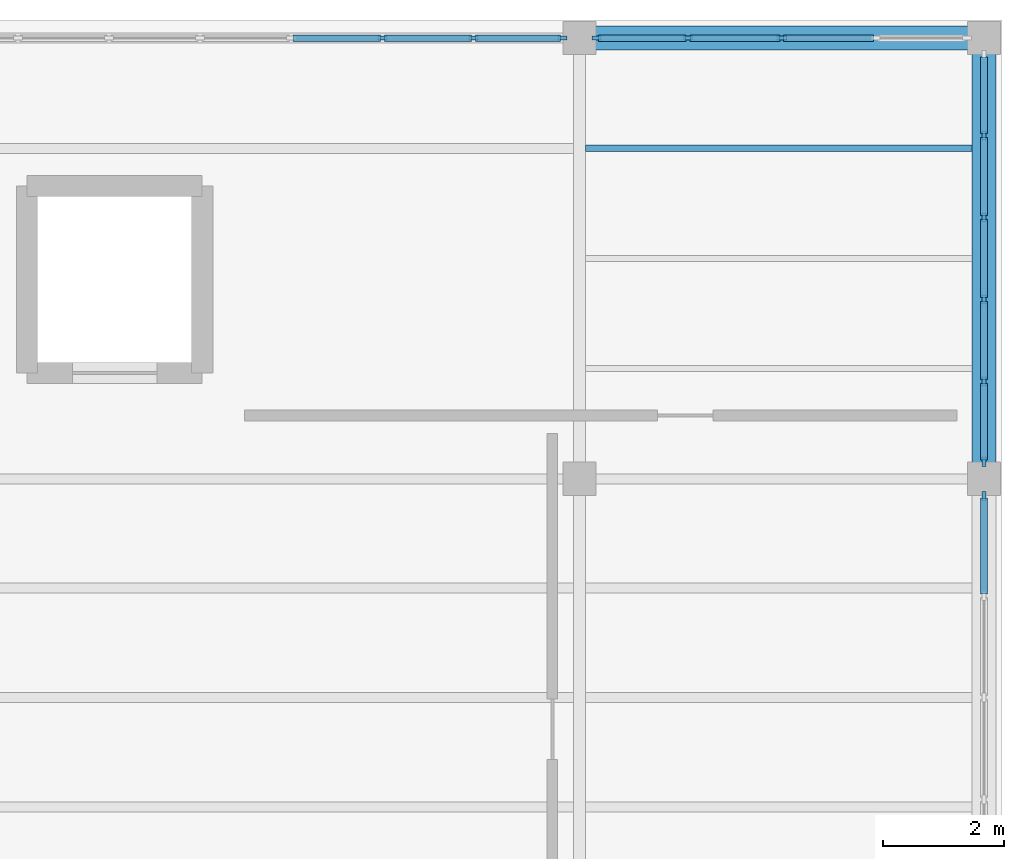
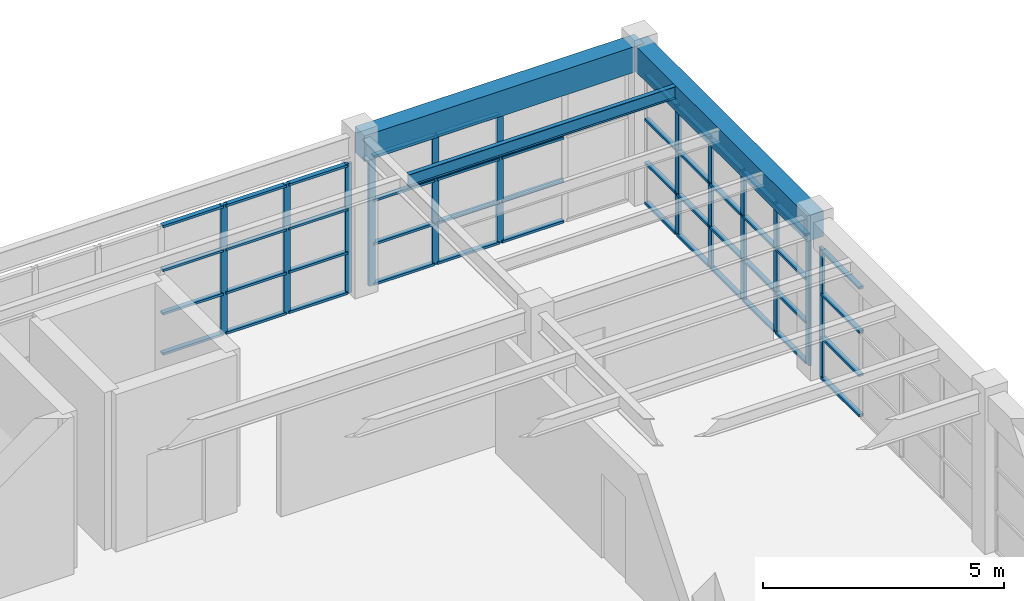
# One storey, part 35 of 66: 59 members, 3 beams, 4 elements without a shape of their own.
"""IFC4 building model written with IfcOpenShell, lengths in metres."""

from ifc_helpers import new_model, si_unit, direction, frame, origin, origin_2d, place, context, subcontext, project, spatial, rectangle, i_section, extrude, material, layer, layer_set, material_profile, profile_set, type_object, element, aggregate, save


model = new_model("IFC4")

# Units and contexts
model_context = context("Model", 3, precision=1e-05, world=origin(), true_north=direction((0.0, 1.0)))
body_context = subcontext(model_context, "Body", "Model", "MODEL_VIEW")
ifc_project = project(units=[si_unit("LENGTHUNIT", "METRE"), si_unit("AREAUNIT", "SQUARE_METRE"), si_unit("VOLUMEUNIT", "CUBIC_METRE"), si_unit("PLANEANGLEUNIT", "RADIAN"), si_unit("MASSUNIT", "GRAM", prefix="KILO")], contexts=[model_context])

# Site, building, storey
site_placement = place(None, origin())
site = spatial("IfcSite", under=ifc_project, at=site_placement, CompositionType="ELEMENT")
building_placement = place(site_placement, origin())
building = spatial("IfcBuilding", under=site, at=building_placement, Name="Candilejo Ridge Gondola Terminal", CompositionType="ELEMENT")
storey_placement = place(building_placement, frame((0.0, 0.0, 14.39990234375)))
storey = spatial("IfcBuildingStorey", under=building, at=storey_placement, Name="L03", CompositionType="ELEMENT", Elevation=14.39990234375)

# Curtain wall, member
ifc_material_1 = material(Name="Anodised aluminium AA 6063-T6", Category="aluminium")
ifc_layer_1 = layer(ifc_material_1, 0.169921875)
ifc_layer_set_1 = layer_set([ifc_layer_1], Name="ARC-CW-TOWER-3000-675X329")
curtain_wall_type_1 = type_object("IfcCurtainWallType", Name="ARC-CW-TOWER-3000-675X329", PredefinedType="NOTDEFINED", material=ifc_layer_set_1)
curtain_wall_1_placement = place(storey_placement, origin())
curtain_wall_1 = element("IfcCurtainWall", 1, at=curtain_wall_1_placement, inside=storey, type_object=curtain_wall_type_1, Name="Curtain wall V5 L03-205", PredefinedType="NOTDEFINED")
ifc_material_2 = material(Name="Anodised aluminium AA 6063-T6", Category="aluminium")
ifc_material_profile_1 = material_profile(ifc_material_2, rectangle(XDim=0.06494140625, YDim=0.14990234375, at=origin_2d()))
ifc_profile_set_1 = profile_set([ifc_material_profile_1], Name="Anodised aluminium AA 6063-T6")
member_type_1 = type_object("IfcMemberType", Name="ARC-CW-MULLION-150", PredefinedType="MULLION", material=ifc_profile_set_1)
member_1_placement = place(storey_placement, frame((175.300048828125, 113.267578125, 0.0), z_axis=(0.0, 0.0, 1.0), x_axis=(-1.0, 0.0, 0.0)))
member_1 = element("IfcMember", 2, at=member_1_placement, type_object=member_type_1, Name="CW-67X32 mullion 5", PredefinedType="MULLION", context=body_context, shape_type="SweptSolid", body=[
    extrude(rectangle(XDim=0.06494140625, YDim=0.14990234375, at=origin_2d()), origin(), (0.0, 0.0, 1.0), 3.2900390625),
])

# Curtain wall, members
ifc_material_3 = material(Name="Anodised aluminium AA 6063-T6", Category="aluminium")
ifc_layer_2 = layer(ifc_material_3, 0.169921875)
ifc_layer_set_2 = layer_set([ifc_layer_2], Name="ARC-CW-TOWER-3000-680X329")
curtain_wall_type_2 = type_object("IfcCurtainWallType", Name="ARC-CW-TOWER-3000-680X329", PredefinedType="NOTDEFINED", material=ifc_layer_set_2)
curtain_wall_2_placement = place(storey_placement, origin())
curtain_wall_2 = element("IfcCurtainWall", 3, at=curtain_wall_2_placement, inside=storey, type_object=curtain_wall_type_2, Name="Curtain wall V5 L03-207", PredefinedType="NOTDEFINED")
member_2_placement = place(storey_placement, frame((175.300048828125, 113.83251953125, 0.0), z_axis=(0.0, 0.0, 1.0), x_axis=(-1.0, 0.0, 0.0)))
member_2 = element("IfcMember", 4, at=member_2_placement, type_object=member_type_1, Name="CW-68X32 mullion 1", PredefinedType="MULLION", context=body_context, shape_type="SweptSolid", body=[
    extrude(rectangle(XDim=0.06494140625, YDim=0.14990234375, at=origin_2d()), origin(), (0.0, 0.0, 1.0), 3.2900390625),
])
member_3_placement = place(storey_placement, frame((175.300048828125, 115.159912109375, 0.0), z_axis=(0.0, 0.0, 1.0), x_axis=(-1.0, 0.0, 0.0)))
member_3 = element("IfcMember", 5, at=member_3_placement, type_object=member_type_1, Name="CW-68X32 mullion 2", PredefinedType="MULLION", context=body_context, shape_type="SweptSolid", body=[
    extrude(rectangle(XDim=0.06494140625, YDim=0.14990234375, at=origin_2d()), origin(), (0.0, 0.0, 1.0), 3.2900390625),
])
member_4_placement = place(storey_placement, frame((175.300048828125, 116.52001953125, 0.0), z_axis=(0.0, 0.0, 1.0), x_axis=(-1.0, 0.0, 0.0)))
member_4 = element("IfcMember", 6, at=member_4_placement, type_object=member_type_1, Name="CW-68X32 mullion 3", PredefinedType="MULLION", context=body_context, shape_type="SweptSolid", body=[
    extrude(rectangle(XDim=0.06494140625, YDim=0.14990234375, at=origin_2d()), origin(), (0.0, 0.0, 1.0), 3.2900390625),
])
member_5_placement = place(storey_placement, frame((175.300048828125, 117.8798828125, 0.0), z_axis=(0.0, 0.0, 1.0), x_axis=(-1.0, 0.0, 0.0)))
member_5 = element("IfcMember", 7, at=member_5_placement, type_object=member_type_1, Name="CW-68X32 mullion 4", PredefinedType="MULLION", context=body_context, shape_type="SweptSolid", body=[
    extrude(rectangle(XDim=0.06494140625, YDim=0.14990234375, at=origin_2d()), origin(), (0.0, 0.0, 1.0), 3.2900390625),
])
member_6_placement = place(storey_placement, frame((175.300048828125, 119.239990234375, 0.0), z_axis=(0.0, 0.0, 1.0), x_axis=(-1.0, 0.0, 0.0)))
member_6 = element("IfcMember", 8, at=member_6_placement, type_object=member_type_1, Name="CW-68X32 mullion 5", PredefinedType="MULLION", context=body_context, shape_type="SweptSolid", body=[
    extrude(rectangle(XDim=0.06494140625, YDim=0.14990234375, at=origin_2d()), origin(), (0.0, 0.0, 1.0), 3.2900390625),
])

ifc_material_4 = material(Name="Anodised aluminium AA 6063-T6", Category="aluminium")
ifc_layer_3 = layer(ifc_material_4, 0.169921875)
ifc_layer_set_3 = layer_set([ifc_layer_3], Name="ARC-CW-TOWER-3000-1810X329")
curtain_wall_type_3 = type_object("IfcCurtainWallType", Name="ARC-CW-TOWER-3000-1810X329", PredefinedType="NOTDEFINED", material=ifc_layer_set_3)
curtain_wall_3_placement = place(storey_placement, origin())
curtain_wall_3 = element("IfcCurtainWall", 9, at=curtain_wall_3_placement, inside=storey, type_object=curtain_wall_type_3, Name="Curtain wall V5 L03-209", PredefinedType="NOTDEFINED")
member_7_placement = place(storey_placement, frame((165.333251953125, 120.85009765625, 0.0), z_axis=(0.0, 0.0, 1.0), x_axis=(0.0, 1.0, 0.0)))
member_7 = element("IfcMember", 10, at=member_7_placement, type_object=member_type_1, Name="CW-181X32 mullion 11", PredefinedType="MULLION", context=body_context, shape_type="SweptSolid", body=[
    extrude(rectangle(XDim=0.06494140625, YDim=0.14990234375, at=origin_2d()), origin(), (0.0, 0.0, 1.0), 3.2900390625),
])
member_8_placement = place(storey_placement, frame((166.841552734375, 120.85009765625, 0.0), z_axis=(0.0, 0.0, 1.0), x_axis=(0.0, 1.0, 0.0)))
member_8 = element("IfcMember", 11, at=member_8_placement, type_object=member_type_1, Name="CW-181X32 mullion 12", PredefinedType="MULLION", context=body_context, shape_type="SweptSolid", body=[
    extrude(rectangle(XDim=0.06494140625, YDim=0.14990234375, at=origin_2d()), origin(), (0.0, 0.0, 1.0), 3.2900390625),
])
member_9_placement = place(storey_placement, frame((168.3173828125, 120.85009765625, 0.0), z_axis=(0.0, 0.0, 1.0), x_axis=(0.0, 1.0, 0.0)))
member_9 = element("IfcMember", 12, at=member_9_placement, type_object=member_type_1, Name="CW-181X32 mullion 13", PredefinedType="MULLION", context=body_context, shape_type="SweptSolid", body=[
    extrude(rectangle(XDim=0.06494140625, YDim=0.14990234375, at=origin_2d()), origin(), (0.0, 0.0, 1.0), 3.2900390625),
])

ifc_material_5 = material(Name="Anodised aluminium AA 6063-T6", Category="aluminium")
ifc_layer_4 = layer(ifc_material_5, 0.169921875)
ifc_layer_set_4 = layer_set([ifc_layer_4], Name="ARC-CW-TOWER-3000-620X329")
curtain_wall_type_4 = type_object("IfcCurtainWallType", Name="ARC-CW-TOWER-3000-620X329", PredefinedType="NOTDEFINED", material=ifc_layer_set_4)
curtain_wall_4_placement = place(storey_placement, origin())
curtain_wall_4 = element("IfcCurtainWall", 13, at=curtain_wall_4_placement, inside=storey, type_object=curtain_wall_type_4, Name="Curtain wall V5 L03-211", PredefinedType="NOTDEFINED")
member_10_placement = place(storey_placement, frame((168.882568359375, 120.85009765625, 0.0), z_axis=(0.0, 0.0, 1.0), x_axis=(0.0, 1.0, 0.0)))
member_10 = element("IfcMember", 14, at=member_10_placement, type_object=member_type_1, Name="CW-62X32 mullion 1", PredefinedType="MULLION", context=body_context, shape_type="SweptSolid", body=[
    extrude(rectangle(XDim=0.06494140625, YDim=0.14990234375, at=origin_2d()), origin(), (0.0, 0.0, 1.0), 3.2900390625),
])
member_11_placement = place(storey_placement, frame((170.39990234375, 120.85009765625, 0.0), z_axis=(0.0, 0.0, 1.0), x_axis=(0.0, 1.0, 0.0)))
member_11 = element("IfcMember", 15, at=member_11_placement, type_object=member_type_1, Name="CW-62X32 mullion 2", PredefinedType="MULLION", context=body_context, shape_type="SweptSolid", body=[
    extrude(rectangle(XDim=0.06494140625, YDim=0.14990234375, at=origin_2d()), origin(), (0.0, 0.0, 1.0), 3.2900390625),
])
member_12_placement = place(storey_placement, frame((171.949951171875, 120.85009765625, 0.0), z_axis=(0.0, 0.0, 1.0), x_axis=(0.0, 1.0, 0.0)))
member_12 = element("IfcMember", 16, at=member_12_placement, type_object=member_type_1, Name="CW-62X32 mullion 3", PredefinedType="MULLION", context=body_context, shape_type="SweptSolid", body=[
    extrude(rectangle(XDim=0.06494140625, YDim=0.14990234375, at=origin_2d()), origin(), (0.0, 0.0, 1.0), 3.2900390625),
])

# Member
ifc_material_6 = material(Name="Anodised aluminium AA 6063-T6", Category="aluminium")
ifc_material_profile_2 = material_profile(ifc_material_6, rectangle(XDim=0.110107421875, YDim=0.06005859375, at=origin_2d()))
ifc_profile_set_2 = profile_set([ifc_material_profile_2], Name="Anodised aluminium AA 6063-T6")
member_type_2 = type_object("IfcMemberType", Name="ARC-CW-TRANSOM-110", PredefinedType="USERDEFINED", material=ifc_profile_set_2)
member_13_placement = place(storey_placement, frame((175.300048828125, 111.64501953125, 0.030029296875), z_axis=(0.0, 1.0, 0.0), x_axis=(-1.0, 0.0, 0.0)))
member_13 = element("IfcMember", 17, at=member_13_placement, type_object=member_type_2, Name="CW-67X32 transom 4.1", ObjectType="TRANSOM", PredefinedType="USERDEFINED", context=body_context, shape_type="SweptSolid", body=[
    extrude(rectangle(XDim=0.110107421875, YDim=0.06005859375, at=origin_2d()), origin(), (0.0, 0.0, 1.0), 1.590087890625),
])

member_14_placement = place(storey_placement, frame((175.300048828125, 111.64501953125, 1.050048828125), z_axis=(0.0, 1.0, 0.0), x_axis=(-1.0, 0.0, 0.0)))
member_14 = element("IfcMember", 18, at=member_14_placement, type_object=member_type_2, Name="CW-67X32 transom 4.2", ObjectType="TRANSOM", PredefinedType="USERDEFINED", context=body_context, shape_type="SweptSolid", body=[
    extrude(rectangle(XDim=0.110107421875, YDim=0.06005859375, at=origin_2d()), origin(), (0.0, 0.0, 1.0), 1.590087890625),
])

member_15_placement = place(storey_placement, frame((175.300048828125, 111.64501953125, 2.150146484375), z_axis=(0.0, 1.0, 0.0), x_axis=(-1.0, 0.0, 0.0)))
member_15 = element("IfcMember", 19, at=member_15_placement, type_object=member_type_2, Name="CW-67X32 transom 4.3", ObjectType="TRANSOM", PredefinedType="USERDEFINED", context=body_context, shape_type="SweptSolid", body=[
    extrude(rectangle(XDim=0.110107421875, YDim=0.06005859375, at=origin_2d()), origin(), (0.0, 0.0, 1.0), 1.590087890625),
])

member_16_placement = place(storey_placement, frame((175.300048828125, 111.64501953125, 3.260009765625), z_axis=(0.0, 1.0, 0.0), x_axis=(-1.0, 0.0, 0.0)))
member_16 = element("IfcMember", 20, at=member_16_placement, type_object=member_type_2, Name="CW-67X32 transom 4.4", ObjectType="TRANSOM", PredefinedType="USERDEFINED", context=body_context, shape_type="SweptSolid", body=[
    extrude(rectangle(XDim=0.110107421875, YDim=0.06005859375, at=origin_2d()), origin(), (0.0, 0.0, 1.0), 1.590087890625),
])

aggregate(curtain_wall_1, [member_1, member_13, member_14, member_15, member_16])

member_17_placement = place(storey_placement, frame((175.300048828125, 113.864990234375, 0.030029296875), z_axis=(0.0, 1.0, 0.0), x_axis=(-1.0, 0.0, 0.0)))
member_17 = element("IfcMember", 21, at=member_17_placement, type_object=member_type_2, Name="CW-68X32 transom 1.1", ObjectType="TRANSOM", PredefinedType="USERDEFINED", context=body_context, shape_type="SweptSolid", body=[
    extrude(rectangle(XDim=0.110107421875, YDim=0.06005859375, at=origin_2d()), origin(), (0.0, 0.0, 1.0), 1.262451171875),
])

member_18_placement = place(storey_placement, frame((175.300048828125, 113.864990234375, 1.050048828125), z_axis=(0.0, 1.0, 0.0), x_axis=(-1.0, 0.0, 0.0)))
member_18 = element("IfcMember", 22, at=member_18_placement, type_object=member_type_2, Name="CW-68X32 transom 1.2", ObjectType="TRANSOM", PredefinedType="USERDEFINED", context=body_context, shape_type="SweptSolid", body=[
    extrude(rectangle(XDim=0.110107421875, YDim=0.06005859375, at=origin_2d()), origin(), (0.0, 0.0, 1.0), 1.262451171875),
])

member_19_placement = place(storey_placement, frame((175.300048828125, 113.864990234375, 2.150146484375), z_axis=(0.0, 1.0, 0.0), x_axis=(-1.0, 0.0, 0.0)))
member_19 = element("IfcMember", 23, at=member_19_placement, type_object=member_type_2, Name="CW-68X32 transom 1.3", ObjectType="TRANSOM", PredefinedType="USERDEFINED", context=body_context, shape_type="SweptSolid", body=[
    extrude(rectangle(XDim=0.110107421875, YDim=0.06005859375, at=origin_2d()), origin(), (0.0, 0.0, 1.0), 1.262451171875),
])

member_20_placement = place(storey_placement, frame((175.300048828125, 113.864990234375, 3.260009765625), z_axis=(0.0, 1.0, 0.0), x_axis=(-1.0, 0.0, 0.0)))
member_20 = element("IfcMember", 24, at=member_20_placement, type_object=member_type_2, Name="CW-68X32 transom 1.4", ObjectType="TRANSOM", PredefinedType="USERDEFINED", context=body_context, shape_type="SweptSolid", body=[
    extrude(rectangle(XDim=0.110107421875, YDim=0.06005859375, at=origin_2d()), origin(), (0.0, 0.0, 1.0), 1.262451171875),
])

member_21_placement = place(storey_placement, frame((175.300048828125, 115.1923828125, 0.030029296875), z_axis=(0.0, 1.0, 0.0), x_axis=(-1.0, 0.0, 0.0)))
member_21 = element("IfcMember", 25, at=member_21_placement, type_object=member_type_2, Name="CW-68X32 transom 2.1", ObjectType="TRANSOM", PredefinedType="USERDEFINED", context=body_context, shape_type="SweptSolid", body=[
    extrude(rectangle(XDim=0.110107421875, YDim=0.06005859375, at=origin_2d()), origin(), (0.0, 0.0, 1.0), 1.295166015625),
])

member_22_placement = place(storey_placement, frame((175.300048828125, 115.1923828125, 1.050048828125), z_axis=(0.0, 1.0, 0.0), x_axis=(-1.0, 0.0, 0.0)))
member_22 = element("IfcMember", 26, at=member_22_placement, type_object=member_type_2, Name="CW-68X32 transom 2.2", ObjectType="TRANSOM", PredefinedType="USERDEFINED", context=body_context, shape_type="SweptSolid", body=[
    extrude(rectangle(XDim=0.110107421875, YDim=0.06005859375, at=origin_2d()), origin(), (0.0, 0.0, 1.0), 1.295166015625),
])

member_23_placement = place(storey_placement, frame((175.300048828125, 115.1923828125, 2.150146484375), z_axis=(0.0, 1.0, 0.0), x_axis=(-1.0, 0.0, 0.0)))
member_23 = element("IfcMember", 27, at=member_23_placement, type_object=member_type_2, Name="CW-68X32 transom 2.3", ObjectType="TRANSOM", PredefinedType="USERDEFINED", context=body_context, shape_type="SweptSolid", body=[
    extrude(rectangle(XDim=0.110107421875, YDim=0.06005859375, at=origin_2d()), origin(), (0.0, 0.0, 1.0), 1.295166015625),
])

member_24_placement = place(storey_placement, frame((175.300048828125, 115.1923828125, 3.260009765625), z_axis=(0.0, 1.0, 0.0), x_axis=(-1.0, 0.0, 0.0)))
member_24 = element("IfcMember", 28, at=member_24_placement, type_object=member_type_2, Name="CW-68X32 transom 2.4", ObjectType="TRANSOM", PredefinedType="USERDEFINED", context=body_context, shape_type="SweptSolid", body=[
    extrude(rectangle(XDim=0.110107421875, YDim=0.06005859375, at=origin_2d()), origin(), (0.0, 0.0, 1.0), 1.295166015625),
])

member_25_placement = place(storey_placement, frame((175.300048828125, 116.552490234375, 0.030029296875), z_axis=(0.0, 1.0, 0.0), x_axis=(-1.0, 0.0, 0.0)))
member_25 = element("IfcMember", 29, at=member_25_placement, type_object=member_type_2, Name="CW-68X32 transom 3.1", ObjectType="TRANSOM", PredefinedType="USERDEFINED", context=body_context, shape_type="SweptSolid", body=[
    extrude(rectangle(XDim=0.110107421875, YDim=0.06005859375, at=origin_2d()), origin(), (0.0, 0.0, 1.0), 1.294921875),
])

member_26_placement = place(storey_placement, frame((175.300048828125, 116.552490234375, 1.050048828125), z_axis=(0.0, 1.0, 0.0), x_axis=(-1.0, 0.0, 0.0)))
member_26 = element("IfcMember", 30, at=member_26_placement, type_object=member_type_2, Name="CW-68X32 transom 3.2", ObjectType="TRANSOM", PredefinedType="USERDEFINED", context=body_context, shape_type="SweptSolid", body=[
    extrude(rectangle(XDim=0.110107421875, YDim=0.06005859375, at=origin_2d()), origin(), (0.0, 0.0, 1.0), 1.294921875),
])

member_27_placement = place(storey_placement, frame((175.300048828125, 116.552490234375, 2.150146484375), z_axis=(0.0, 1.0, 0.0), x_axis=(-1.0, 0.0, 0.0)))
member_27 = element("IfcMember", 31, at=member_27_placement, type_object=member_type_2, Name="CW-68X32 transom 3.3", ObjectType="TRANSOM", PredefinedType="USERDEFINED", context=body_context, shape_type="SweptSolid", body=[
    extrude(rectangle(XDim=0.110107421875, YDim=0.06005859375, at=origin_2d()), origin(), (0.0, 0.0, 1.0), 1.294921875),
])

member_28_placement = place(storey_placement, frame((175.300048828125, 116.552490234375, 3.260009765625), z_axis=(0.0, 1.0, 0.0), x_axis=(-1.0, 0.0, 0.0)))
member_28 = element("IfcMember", 32, at=member_28_placement, type_object=member_type_2, Name="CW-68X32 transom 3.4", ObjectType="TRANSOM", PredefinedType="USERDEFINED", context=body_context, shape_type="SweptSolid", body=[
    extrude(rectangle(XDim=0.110107421875, YDim=0.06005859375, at=origin_2d()), origin(), (0.0, 0.0, 1.0), 1.294921875),
])

member_29_placement = place(storey_placement, frame((175.300048828125, 117.91259765625, 0.030029296875), z_axis=(0.0, 1.0, 0.0), x_axis=(-1.0, 0.0, 0.0)))
member_29 = element("IfcMember", 33, at=member_29_placement, type_object=member_type_2, Name="CW-68X32 transom 4.1", ObjectType="TRANSOM", PredefinedType="USERDEFINED", context=body_context, shape_type="SweptSolid", body=[
    extrude(rectangle(XDim=0.110107421875, YDim=0.06005859375, at=origin_2d()), origin(), (0.0, 0.0, 1.0), 1.294921875),
])

member_30_placement = place(storey_placement, frame((175.300048828125, 117.91259765625, 1.050048828125), z_axis=(0.0, 1.0, 0.0), x_axis=(-1.0, 0.0, 0.0)))
member_30 = element("IfcMember", 34, at=member_30_placement, type_object=member_type_2, Name="CW-68X32 transom 4.2", ObjectType="TRANSOM", PredefinedType="USERDEFINED", context=body_context, shape_type="SweptSolid", body=[
    extrude(rectangle(XDim=0.110107421875, YDim=0.06005859375, at=origin_2d()), origin(), (0.0, 0.0, 1.0), 1.294921875),
])

member_31_placement = place(storey_placement, frame((175.300048828125, 117.91259765625, 2.150146484375), z_axis=(0.0, 1.0, 0.0), x_axis=(-1.0, 0.0, 0.0)))
member_31 = element("IfcMember", 35, at=member_31_placement, type_object=member_type_2, Name="CW-68X32 transom 4.3", ObjectType="TRANSOM", PredefinedType="USERDEFINED", context=body_context, shape_type="SweptSolid", body=[
    extrude(rectangle(XDim=0.110107421875, YDim=0.06005859375, at=origin_2d()), origin(), (0.0, 0.0, 1.0), 1.294921875),
])

member_32_placement = place(storey_placement, frame((175.300048828125, 117.91259765625, 3.260009765625), z_axis=(0.0, 1.0, 0.0), x_axis=(-1.0, 0.0, 0.0)))
member_32 = element("IfcMember", 36, at=member_32_placement, type_object=member_type_2, Name="CW-68X32 transom 4.4", ObjectType="TRANSOM", PredefinedType="USERDEFINED", context=body_context, shape_type="SweptSolid", body=[
    extrude(rectangle(XDim=0.110107421875, YDim=0.06005859375, at=origin_2d()), origin(), (0.0, 0.0, 1.0), 1.294921875),
])

member_33_placement = place(storey_placement, frame((175.300048828125, 119.2724609375, 0.030029296875), z_axis=(0.0, 1.0, 0.0), x_axis=(-1.0, 0.0, 0.0)))
member_33 = element("IfcMember", 37, at=member_33_placement, type_object=member_type_2, Name="CW-68X32 transom 5.1", ObjectType="TRANSOM", PredefinedType="USERDEFINED", context=body_context, shape_type="SweptSolid", body=[
    extrude(rectangle(XDim=0.110107421875, YDim=0.06005859375, at=origin_2d()), origin(), (0.0, 0.0, 1.0), 1.262451171875),
])

member_34_placement = place(storey_placement, frame((175.300048828125, 119.2724609375, 1.050048828125), z_axis=(0.0, 1.0, 0.0), x_axis=(-1.0, 0.0, 0.0)))
member_34 = element("IfcMember", 38, at=member_34_placement, type_object=member_type_2, Name="CW-68X32 transom 5.2", ObjectType="TRANSOM", PredefinedType="USERDEFINED", context=body_context, shape_type="SweptSolid", body=[
    extrude(rectangle(XDim=0.110107421875, YDim=0.06005859375, at=origin_2d()), origin(), (0.0, 0.0, 1.0), 1.262451171875),
])

member_35_placement = place(storey_placement, frame((175.300048828125, 119.2724609375, 2.150146484375), z_axis=(0.0, 1.0, 0.0), x_axis=(-1.0, 0.0, 0.0)))
member_35 = element("IfcMember", 39, at=member_35_placement, type_object=member_type_2, Name="CW-68X32 transom 5.3", ObjectType="TRANSOM", PredefinedType="USERDEFINED", context=body_context, shape_type="SweptSolid", body=[
    extrude(rectangle(XDim=0.110107421875, YDim=0.06005859375, at=origin_2d()), origin(), (0.0, 0.0, 1.0), 1.262451171875),
])

member_36_placement = place(storey_placement, frame((175.300048828125, 119.2724609375, 3.260009765625), z_axis=(0.0, 1.0, 0.0), x_axis=(-1.0, 0.0, 0.0)))
member_36 = element("IfcMember", 40, at=member_36_placement, type_object=member_type_2, Name="CW-68X32 transom 5.4", ObjectType="TRANSOM", PredefinedType="USERDEFINED", context=body_context, shape_type="SweptSolid", body=[
    extrude(rectangle(XDim=0.110107421875, YDim=0.06005859375, at=origin_2d()), origin(), (0.0, 0.0, 1.0), 1.262451171875),
])

aggregate(curtain_wall_2, [member_2, member_3, member_4, member_5, member_6, member_17, member_18, member_19, member_20, member_21, member_22, member_23, member_24, member_25, member_26, member_27, member_28, member_29, member_30, member_31, member_32, member_33, member_34, member_35, member_36])

member_37_placement = place(storey_placement, frame((163.857421875, 120.85009765625, 0.030029296875), z_axis=(1.0, 0.0, 0.0), x_axis=(0.0, 1.0, 0.0)))
member_37 = element("IfcMember", 41, at=member_37_placement, type_object=member_type_2, Name="CW-181X32 transom 10.1", ObjectType="TRANSOM", PredefinedType="USERDEFINED", context=body_context, shape_type="SweptSolid", body=[
    extrude(rectangle(XDim=0.110107421875, YDim=0.06005859375, at=origin_2d()), origin(), (0.0, 0.0, 1.0), 1.443359375),
])

member_38_placement = place(storey_placement, frame((163.857421875, 120.85009765625, 1.050048828125), z_axis=(1.0, 0.0, 0.0), x_axis=(0.0, 1.0, 0.0)))
member_38 = element("IfcMember", 42, at=member_38_placement, type_object=member_type_2, Name="CW-181X32 transom 10.2", ObjectType="TRANSOM", PredefinedType="USERDEFINED", context=body_context, shape_type="SweptSolid", body=[
    extrude(rectangle(XDim=0.110107421875, YDim=0.06005859375, at=origin_2d()), origin(), (0.0, 0.0, 1.0), 1.443359375),
])

member_39_placement = place(storey_placement, frame((163.857421875, 120.85009765625, 2.150146484375), z_axis=(1.0, 0.0, 0.0), x_axis=(0.0, 1.0, 0.0)))
member_39 = element("IfcMember", 43, at=member_39_placement, type_object=member_type_2, Name="CW-181X32 transom 10.3", ObjectType="TRANSOM", PredefinedType="USERDEFINED", context=body_context, shape_type="SweptSolid", body=[
    extrude(rectangle(XDim=0.110107421875, YDim=0.06005859375, at=origin_2d()), origin(), (0.0, 0.0, 1.0), 1.443359375),
])

member_40_placement = place(storey_placement, frame((163.857421875, 120.85009765625, 3.260009765625), z_axis=(1.0, 0.0, 0.0), x_axis=(0.0, 1.0, 0.0)))
member_40 = element("IfcMember", 44, at=member_40_placement, type_object=member_type_2, Name="CW-181X32 transom 10.4", ObjectType="TRANSOM", PredefinedType="USERDEFINED", context=body_context, shape_type="SweptSolid", body=[
    extrude(rectangle(XDim=0.110107421875, YDim=0.06005859375, at=origin_2d()), origin(), (0.0, 0.0, 1.0), 1.443359375),
])

member_41_placement = place(storey_placement, frame((165.36572265625, 120.85009765625, 0.030029296875), z_axis=(1.0, 0.0, 0.0), x_axis=(0.0, 1.0, 0.0)))
member_41 = element("IfcMember", 45, at=member_41_placement, type_object=member_type_2, Name="CW-181X32 transom 11.1", ObjectType="TRANSOM", PredefinedType="USERDEFINED", context=body_context, shape_type="SweptSolid", body=[
    extrude(rectangle(XDim=0.110107421875, YDim=0.06005859375, at=origin_2d()), origin(), (0.0, 0.0, 1.0), 1.443359375),
])

member_42_placement = place(storey_placement, frame((165.36572265625, 120.85009765625, 1.050048828125), z_axis=(1.0, 0.0, 0.0), x_axis=(0.0, 1.0, 0.0)))
member_42 = element("IfcMember", 46, at=member_42_placement, type_object=member_type_2, Name="CW-181X32 transom 11.2", ObjectType="TRANSOM", PredefinedType="USERDEFINED", context=body_context, shape_type="SweptSolid", body=[
    extrude(rectangle(XDim=0.110107421875, YDim=0.06005859375, at=origin_2d()), origin(), (0.0, 0.0, 1.0), 1.443359375),
])

member_43_placement = place(storey_placement, frame((165.36572265625, 120.85009765625, 2.150146484375), z_axis=(1.0, 0.0, 0.0), x_axis=(0.0, 1.0, 0.0)))
member_43 = element("IfcMember", 47, at=member_43_placement, type_object=member_type_2, Name="CW-181X32 transom 11.3", ObjectType="TRANSOM", PredefinedType="USERDEFINED", context=body_context, shape_type="SweptSolid", body=[
    extrude(rectangle(XDim=0.110107421875, YDim=0.06005859375, at=origin_2d()), origin(), (0.0, 0.0, 1.0), 1.443359375),
])

member_44_placement = place(storey_placement, frame((165.36572265625, 120.85009765625, 3.260009765625), z_axis=(1.0, 0.0, 0.0), x_axis=(0.0, 1.0, 0.0)))
member_44 = element("IfcMember", 48, at=member_44_placement, type_object=member_type_2, Name="CW-181X32 transom 11.4", ObjectType="TRANSOM", PredefinedType="USERDEFINED", context=body_context, shape_type="SweptSolid", body=[
    extrude(rectangle(XDim=0.110107421875, YDim=0.06005859375, at=origin_2d()), origin(), (0.0, 0.0, 1.0), 1.443359375),
])

member_45_placement = place(storey_placement, frame((166.874267578125, 120.85009765625, 0.030029296875), z_axis=(1.0, 0.0, 0.0), x_axis=(0.0, 1.0, 0.0)))
member_45 = element("IfcMember", 49, at=member_45_placement, type_object=member_type_2, Name="CW-181X32 transom 12.1", ObjectType="TRANSOM", PredefinedType="USERDEFINED", context=body_context, shape_type="SweptSolid", body=[
    extrude(rectangle(XDim=0.110107421875, YDim=0.06005859375, at=origin_2d()), origin(), (0.0, 0.0, 1.0), 1.41064453125),
])

member_46_placement = place(storey_placement, frame((166.874267578125, 120.85009765625, 1.050048828125), z_axis=(1.0, 0.0, 0.0), x_axis=(0.0, 1.0, 0.0)))
member_46 = element("IfcMember", 50, at=member_46_placement, type_object=member_type_2, Name="CW-181X32 transom 12.2", ObjectType="TRANSOM", PredefinedType="USERDEFINED", context=body_context, shape_type="SweptSolid", body=[
    extrude(rectangle(XDim=0.110107421875, YDim=0.06005859375, at=origin_2d()), origin(), (0.0, 0.0, 1.0), 1.41064453125),
])

member_47_placement = place(storey_placement, frame((166.874267578125, 120.85009765625, 2.150146484375), z_axis=(1.0, 0.0, 0.0), x_axis=(0.0, 1.0, 0.0)))
member_47 = element("IfcMember", 51, at=member_47_placement, type_object=member_type_2, Name="CW-181X32 transom 12.3", ObjectType="TRANSOM", PredefinedType="USERDEFINED", context=body_context, shape_type="SweptSolid", body=[
    extrude(rectangle(XDim=0.110107421875, YDim=0.06005859375, at=origin_2d()), origin(), (0.0, 0.0, 1.0), 1.41064453125),
])

member_48_placement = place(storey_placement, frame((166.874267578125, 120.85009765625, 3.260009765625), z_axis=(1.0, 0.0, 0.0), x_axis=(0.0, 1.0, 0.0)))
member_48 = element("IfcMember", 52, at=member_48_placement, type_object=member_type_2, Name="CW-181X32 transom 12.4", ObjectType="TRANSOM", PredefinedType="USERDEFINED", context=body_context, shape_type="SweptSolid", body=[
    extrude(rectangle(XDim=0.110107421875, YDim=0.06005859375, at=origin_2d()), origin(), (0.0, 0.0, 1.0), 1.41064453125),
])

aggregate(curtain_wall_3, [member_7, member_8, member_9, member_37, member_38, member_39, member_40, member_41, member_42, member_43, member_44, member_45, member_46, member_47, member_48])

member_49_placement = place(storey_placement, frame((168.9150390625, 120.85009765625, 0.030029296875), z_axis=(1.0, 0.0, 0.0), x_axis=(0.0, 1.0, 0.0)))
member_49 = element("IfcMember", 53, at=member_49_placement, type_object=member_type_2, Name="CW-62X32 transom 1.1", ObjectType="TRANSOM", PredefinedType="USERDEFINED", context=body_context, shape_type="SweptSolid", body=[
    extrude(rectangle(XDim=0.110107421875, YDim=0.06005859375, at=origin_2d()), origin(), (0.0, 0.0, 1.0), 1.452392578125),
])

member_50_placement = place(storey_placement, frame((168.9150390625, 120.85009765625, 1.050048828125), z_axis=(1.0, 0.0, 0.0), x_axis=(0.0, 1.0, 0.0)))
member_50 = element("IfcMember", 54, at=member_50_placement, type_object=member_type_2, Name="CW-62X32 transom 1.2", ObjectType="TRANSOM", PredefinedType="USERDEFINED", context=body_context, shape_type="SweptSolid", body=[
    extrude(rectangle(XDim=0.110107421875, YDim=0.06005859375, at=origin_2d()), origin(), (0.0, 0.0, 1.0), 1.452392578125),
])

member_51_placement = place(storey_placement, frame((168.9150390625, 120.85009765625, 2.150146484375), z_axis=(1.0, 0.0, 0.0), x_axis=(0.0, 1.0, 0.0)))
member_51 = element("IfcMember", 55, at=member_51_placement, type_object=member_type_2, Name="CW-62X32 transom 1.3", ObjectType="TRANSOM", PredefinedType="USERDEFINED", context=body_context, shape_type="SweptSolid", body=[
    extrude(rectangle(XDim=0.110107421875, YDim=0.06005859375, at=origin_2d()), origin(), (0.0, 0.0, 1.0), 1.452392578125),
])

member_52_placement = place(storey_placement, frame((168.9150390625, 120.85009765625, 3.260009765625), z_axis=(1.0, 0.0, 0.0), x_axis=(0.0, 1.0, 0.0)))
member_52 = element("IfcMember", 56, at=member_52_placement, type_object=member_type_2, Name="CW-62X32 transom 1.4", ObjectType="TRANSOM", PredefinedType="USERDEFINED", context=body_context, shape_type="SweptSolid", body=[
    extrude(rectangle(XDim=0.110107421875, YDim=0.06005859375, at=origin_2d()), origin(), (0.0, 0.0, 1.0), 1.452392578125),
])

member_53_placement = place(storey_placement, frame((170.4326171875, 120.85009765625, 0.030029296875), z_axis=(1.0, 0.0, 0.0), x_axis=(0.0, 1.0, 0.0)))
member_53 = element("IfcMember", 57, at=member_53_placement, type_object=member_type_2, Name="CW-62X32 transom 2.1", ObjectType="TRANSOM", PredefinedType="USERDEFINED", context=body_context, shape_type="SweptSolid", body=[
    extrude(rectangle(XDim=0.110107421875, YDim=0.06005859375, at=origin_2d()), origin(), (0.0, 0.0, 1.0), 1.48486328125),
])

member_54_placement = place(storey_placement, frame((170.4326171875, 120.85009765625, 1.050048828125), z_axis=(1.0, 0.0, 0.0), x_axis=(0.0, 1.0, 0.0)))
member_54 = element("IfcMember", 58, at=member_54_placement, type_object=member_type_2, Name="CW-62X32 transom 2.2", ObjectType="TRANSOM", PredefinedType="USERDEFINED", context=body_context, shape_type="SweptSolid", body=[
    extrude(rectangle(XDim=0.110107421875, YDim=0.06005859375, at=origin_2d()), origin(), (0.0, 0.0, 1.0), 1.48486328125),
])

member_55_placement = place(storey_placement, frame((170.4326171875, 120.85009765625, 2.150146484375), z_axis=(1.0, 0.0, 0.0), x_axis=(0.0, 1.0, 0.0)))
member_55 = element("IfcMember", 59, at=member_55_placement, type_object=member_type_2, Name="CW-62X32 transom 2.3", ObjectType="TRANSOM", PredefinedType="USERDEFINED", context=body_context, shape_type="SweptSolid", body=[
    extrude(rectangle(XDim=0.110107421875, YDim=0.06005859375, at=origin_2d()), origin(), (0.0, 0.0, 1.0), 1.48486328125),
])

member_56_placement = place(storey_placement, frame((170.4326171875, 120.85009765625, 3.260009765625), z_axis=(1.0, 0.0, 0.0), x_axis=(0.0, 1.0, 0.0)))
member_56 = element("IfcMember", 60, at=member_56_placement, type_object=member_type_2, Name="CW-62X32 transom 2.4", ObjectType="TRANSOM", PredefinedType="USERDEFINED", context=body_context, shape_type="SweptSolid", body=[
    extrude(rectangle(XDim=0.110107421875, YDim=0.06005859375, at=origin_2d()), origin(), (0.0, 0.0, 1.0), 1.48486328125),
])

member_57_placement = place(storey_placement, frame((171.982421875, 120.85009765625, 0.030029296875), z_axis=(1.0, 0.0, 0.0), x_axis=(0.0, 1.0, 0.0)))
member_57 = element("IfcMember", 61, at=member_57_placement, type_object=member_type_2, Name="CW-62X32 transom 3.1", ObjectType="TRANSOM", PredefinedType="USERDEFINED", context=body_context, shape_type="SweptSolid", body=[
    extrude(rectangle(XDim=0.110107421875, YDim=0.06005859375, at=origin_2d()), origin(), (0.0, 0.0, 1.0), 1.485107421875),
])

member_58_placement = place(storey_placement, frame((171.982421875, 120.85009765625, 1.050048828125), z_axis=(1.0, 0.0, 0.0), x_axis=(0.0, 1.0, 0.0)))
member_58 = element("IfcMember", 62, at=member_58_placement, type_object=member_type_2, Name="CW-62X32 transom 3.2", ObjectType="TRANSOM", PredefinedType="USERDEFINED", context=body_context, shape_type="SweptSolid", body=[
    extrude(rectangle(XDim=0.110107421875, YDim=0.06005859375, at=origin_2d()), origin(), (0.0, 0.0, 1.0), 1.485107421875),
])

member_59_placement = place(storey_placement, frame((171.982421875, 120.85009765625, 2.150146484375), z_axis=(1.0, 0.0, 0.0), x_axis=(0.0, 1.0, 0.0)))
member_59 = element("IfcMember", 63, at=member_59_placement, type_object=member_type_2, Name="CW-62X32 transom 3.3", ObjectType="TRANSOM", PredefinedType="USERDEFINED", context=body_context, shape_type="SweptSolid", body=[
    extrude(rectangle(XDim=0.110107421875, YDim=0.06005859375, at=origin_2d()), origin(), (0.0, 0.0, 1.0), 1.485107421875),
])

aggregate(curtain_wall_4, [member_10, member_11, member_12, member_49, member_50, member_51, member_52, member_53, member_54, member_55, member_56, member_57, member_58, member_59])

# Beams
ifc_material_7 = material(Name="Steel ASTM A992 Grade 50", Category="steel")
ifc_material_profile_3 = material_profile(ifc_material_7, i_section(OverallWidth=0.10205078125, OverallDepth=0.31298828125, WebThickness=0.006591796875, FlangeThickness=0.0107421875, at=origin_2d()))
ifc_profile_set_3 = profile_set([ifc_material_profile_3], Name="Steel ASTM A992 Grade 50")
beam_type_1 = type_object("IfcBeamType", Name="STR-JST-W310X33", PredefinedType="JOIST", material=ifc_profile_set_3)
beam_1_placement = place(storey_placement, frame((168.697021484375, 119.02490234375, 3.83349609375), z_axis=(1.0, 0.0, 0.0), x_axis=(0.0, 1.0, 0.0)))
element("IfcBeam", 64, at=beam_1_placement, inside=storey, type_object=beam_type_1, Name="Composite joist V5 L03-1406", PredefinedType="JOIST", context=body_context, shape_type="SweptSolid", body=[
    extrude(i_section(OverallWidth=0.10205078125, OverallDepth=0.31298828125, WebThickness=0.006591796875, FlangeThickness=0.0107421875, at=origin_2d()), origin(), (0.0, 0.0, 1.0), 6.403076171875),
])
ifc_material_8 = material(Name="Concrete f'c 35 MPa (C35/45)", Category="concrete")
ifc_material_profile_4 = material_profile(ifc_material_8, rectangle(XDim=0.39990234375, YDim=0.64990234375, at=origin_2d()))
ifc_profile_set_4 = profile_set([ifc_material_profile_4], Name="Concrete f'c 35 MPa (C35/45)")
beam_type_2 = type_object("IfcBeamType", Name="STR-SPN-RC400X650", PredefinedType="SPANDREL", material=ifc_profile_set_4)
beam_2_placement = place(storey_placement, frame((168.60009765625, 120.85009765625, 3.6650390625), z_axis=(1.0, 0.0, 0.0), x_axis=(0.0, 1.0, 0.0)))
element("IfcBeam", 65, at=beam_2_placement, inside=storey, type_object=beam_type_2, Name="Beam X V5 L03 X25-X27@Y20", PredefinedType="SPANDREL", context=body_context, shape_type="SweptSolid", body=[
    extrude(rectangle(XDim=0.39990234375, YDim=0.64990234375, at=origin_2d()), origin(), (0.0, 0.0, 1.0), 6.699951171875),
])
beam_3_placement = place(storey_placement, frame((175.300048828125, 113.550048828125, 3.6650390625), z_axis=(0.0, 1.0, 0.0), x_axis=(-1.0, 0.0, 0.0)))
element("IfcBeam", 66, at=beam_3_placement, inside=storey, type_object=beam_type_2, Name="Beam Y V5 L03 Y19-Y20@X27", PredefinedType="SPANDREL", context=body_context, shape_type="SweptSolid", body=[
    extrude(rectangle(XDim=0.39990234375, YDim=0.64990234375, at=origin_2d()), origin(), (0.0, 0.0, 1.0), 7.300048828125),
])

save(model, "model.ifc")
